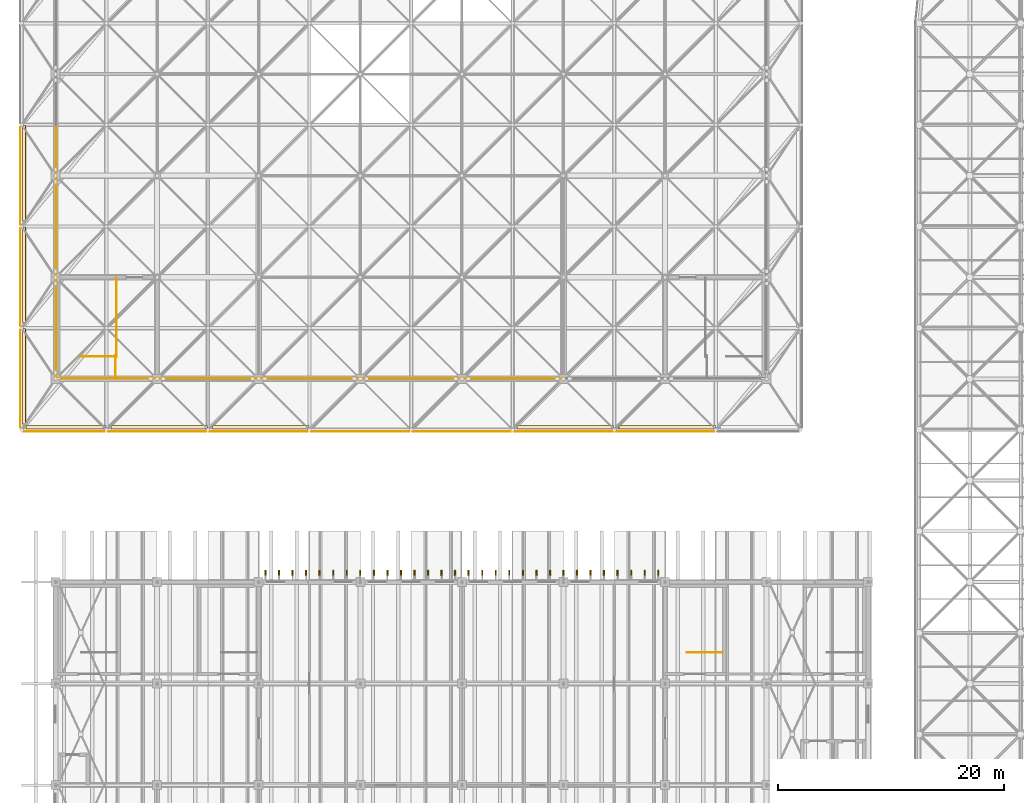
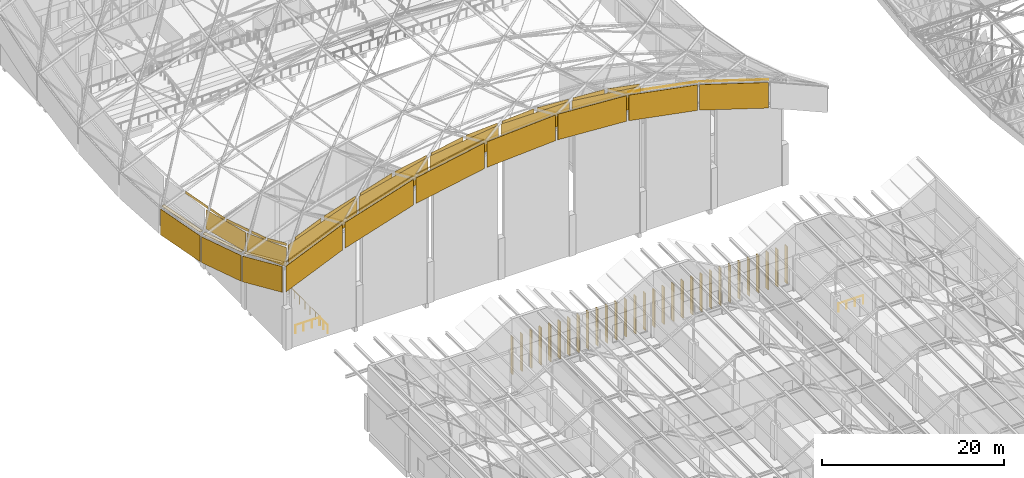
# One storey, part 409 of 437: 70 coverings, 4 railings.
"""IFC4 building model written with IfcOpenShell, lengths in metres."""

from ifc_helpers import new_model, si_unit, direction, frame, origin, origin_2d, place, context, subcontext, project, spatial, polyline, rectangle, circle, outline, extrude, material, layer, layer_set, constituent, constituent_set, type_object, element, save


model = new_model("IFC4")

# Units and contexts
model_context = context("Model", 3, precision=1e-05, world=origin(), true_north=direction((0.0, 1.0)))
body_context = subcontext(model_context, "Body", "Model", "MODEL_VIEW")
ifc_project = project(units=[si_unit("LENGTHUNIT", "METRE"), si_unit("AREAUNIT", "SQUARE_METRE"), si_unit("VOLUMEUNIT", "CUBIC_METRE"), si_unit("PLANEANGLEUNIT", "RADIAN"), si_unit("MASSUNIT", "GRAM", prefix="KILO")], contexts=[model_context])

# Site, building, storey
site_placement = place(None, origin())
site = spatial("IfcSite", under=ifc_project, at=site_placement, CompositionType="ELEMENT")
building_placement = place(site_placement, origin())
building = spatial("IfcBuilding", under=site, at=building_placement, Name="Opaline Strait Convention Centre", CompositionType="ELEMENT")
storey_placement = place(building_placement, frame((0.0, 0.0, 11.5)))
storey = spatial("IfcBuildingStorey", under=building, at=storey_placement, Name="L02", CompositionType="ELEMENT", Elevation=11.5)

# Railings
ifc_material_1 = material(Name="Steel Q355B", Category="steel")
ifc_constituent_1 = constituent(ifc_material_1, Name="Frame")
ifc_material_2 = material(Name="Safety glass, bonded interlayer", Category="glass")
ifc_constituent_2 = constituent(ifc_material_2, Name="Infill")
ifc_constituent_set_1 = constituent_set(constituents=[ifc_constituent_1, ifc_constituent_2], Name="Steel Q355B, Safety glass, bonded interlayer")
railing_type_1 = type_object("IfcRailingType", Name="Seating guard 1100 steel and glass", PredefinedType="GUARDRAIL", material=ifc_constituent_set_1)
railing_1_placement = place(storey_placement, frame((14.35009765625, 119.0, 0.0)))
element("IfcRailing", 1, at=railing_1_placement, inside=storey, type_object=railing_type_1, Name="L02 PSR1 top well guard 1", PredefinedType="GUARDRAIL", context=body_context, shape_type="SweptSolid", body=[
    extrude(circle(Radius=0.02392578125, at=origin_2d()), frame((0.0, 0.0, 1.076171875), z_axis=(-1.0, 0.0, 0.0), x_axis=(0.0, -1.0, 0.0)), (0.0, 0.0, 1.0), 3.150146484375),
    extrude(circle(Radius=0.02099609375, at=origin_2d()), origin(), (0.0, 0.0, 1.0), 1.052001953125),
    extrude(circle(Radius=0.02099609375, at=origin_2d()), frame((-1.050048828125, 0.0, 0.0)), (0.0, 0.0, 1.0), 1.052001953125),
    extrude(circle(Radius=0.02099609375, at=origin_2d()), frame((-2.10009765625, 0.0, 0.0)), (0.0, 0.0, 1.0), 1.052001953125),
    extrude(circle(Radius=0.02099609375, at=origin_2d()), frame((-3.150146484375, 0.0, 0.0)), (0.0, 0.0, 1.0), 1.052001953125),
])
railing_2_placement = place(storey_placement, frame((14.39990234375, 118.949951171875, 0.0)))
element("IfcRailing", 2, at=railing_2_placement, inside=storey, type_object=railing_type_1, Name="L02 PSR1 top well guard 2", PredefinedType="GUARDRAIL", context=body_context, shape_type="SweptSolid", body=[
    extrude(circle(Radius=0.02392578125, at=origin_2d()), frame((0.0, 0.0, 1.076171875), z_axis=(0.0, 1.0, 0.0), x_axis=(-1.0, 0.0, 0.0)), (0.0, 0.0, 1.0), 7.0),
    extrude(circle(Radius=0.02099609375, at=origin_2d()), origin(), (0.0, 0.0, 1.0), 1.052001953125),
    extrude(circle(Radius=0.02099609375, at=origin_2d()), frame((0.0, 1.166748046875, 0.0)), (0.0, 0.0, 1.0), 1.052001953125),
    extrude(circle(Radius=0.02099609375, at=origin_2d()), frame((0.0, 2.333251953125, 0.0)), (0.0, 0.0, 1.0), 1.052001953125),
    extrude(circle(Radius=0.02099609375, at=origin_2d()), frame((0.0, 3.5, 0.0)), (0.0, 0.0, 1.0), 1.052001953125),
    extrude(circle(Radius=0.02099609375, at=origin_2d()), frame((0.0, 4.666748046875, 0.0)), (0.0, 0.0, 1.0), 1.052001953125),
    extrude(circle(Radius=0.02099609375, at=origin_2d()), frame((0.0, 5.833251953125, 0.0)), (0.0, 0.0, 1.0), 1.052001953125),
    extrude(circle(Radius=0.02099609375, at=origin_2d()), frame((0.0, 7.0, 0.0)), (0.0, 0.0, 1.0), 1.052001953125),
])
railing_3_placement = place(storey_placement, frame((14.300048828125, 117.25, 0.0)))
element("IfcRailing", 3, at=railing_3_placement, inside=storey, type_object=railing_type_1, Name="L02 PSR1 top well guard 3", PredefinedType="GUARDRAIL", context=body_context, shape_type="SweptSolid", body=[
    extrude(circle(Radius=0.02392578125, at=origin_2d()), frame((0.0, 0.0, 1.076171875), z_axis=(0.0, 1.0, 0.0), x_axis=(-1.0, 0.0, 0.0)), (0.0, 0.0, 1.0), 1.800048828125),
    extrude(circle(Radius=0.02099609375, at=origin_2d()), origin(), (0.0, 0.0, 1.0), 1.052001953125),
    extrude(circle(Radius=0.02099609375, at=origin_2d()), frame((0.0, 0.89990234375, 0.0)), (0.0, 0.0, 1.0), 1.052001953125),
    extrude(circle(Radius=0.02099609375, at=origin_2d()), frame((0.0, 1.800048828125, 0.0)), (0.0, 0.0, 1.0), 1.052001953125),
])

# Coverings
ifc_material_3 = material(Name="Standing seam aluminium edge flashing, white", Category="aluminium")
ifc_layer_1 = layer(ifc_material_3, 0.030029296875)
ifc_layer_set_1 = layer_set([ifc_layer_1], Name="Standing seam aluminium edge flashing, white")
covering_type_1 = type_object("IfcCoveringType", Name="Shell edge flashing 30", PredefinedType="ROOFING", material=ifc_layer_set_1)
covering_1_placement = place(storey_placement, frame((6.050048828125, 113.0, 14.81640625), z_axis=(-0.36813109044, 0.377613527946, 0.849639643475), x_axis=(0.917593196232, 0.000119785951, 0.397520706228)))
element("IfcCovering", 4, at=covering_1_placement, inside=storey, type_object=covering_type_1, Name="PEF1 edge flashing 1", PredefinedType="ROOFING", context=body_context, shape_type="SweptSolid", body=[
    extrude(outline(polyline([(0.0, 0.0), (0.32695387057677355, 0.0), (-1.1648717133199495, 9.12572973933148), (-1.491922634850392, 9.125814343750664), (0.0, 0.0)])), origin(), (0.0, 0.0, -1.0), 0.030029296875),
])
covering_2_placement = place(storey_placement, frame((6.050048828125, 122.0, 10.8701171875), z_axis=(-0.382006288468, 0.279640254977, 0.880836263653), x_axis=(0.917437570864, 0.0, 0.397879760188)))
element("IfcCovering", 5, at=covering_2_placement, inside=storey, type_object=covering_type_1, Name="PEF1 edge flashing 3", PredefinedType="ROOFING", context=body_context, shape_type="SweptSolid", body=[
    extrude(outline(polyline([(0.0, 0.0), (0.32705094891894404, 0.0), (-0.740308134318719, 8.80107120577786), (-1.067359083237663, 8.80107120577786), (0.0, 0.0)])), origin(), (0.0, 0.0, -1.0), 0.030029296875),
])
covering_3_placement = place(storey_placement, frame((6.050048828125, 131.0, 8.06982421875), z_axis=(-0.392251562913, 0.172114766869, 0.903612316438), x_axis=(0.917305328634, 5.8049027e-05, 0.398184543509)))
element("IfcCovering", 6, at=covering_3_placement, inside=storey, type_object=covering_type_1, Name="PEF1 edge flashing 5", PredefinedType="ROOFING", context=body_context, shape_type="SweptSolid", body=[
    extrude(outline(polyline([(0.0, 0.0), (0.32705093031782817, 0.0), (-0.3132868079512685, 8.577979381327406), (-0.6404349512924143, 8.57801793224601), (0.0, 0.0)])), origin(), (0.0, 0.0, -1.0), 0.030029296875),
])
covering_4_placement = place(storey_placement, frame((6.39990234375, 112.550048828125, 15.168212890625), z_axis=(-0.368563829003, 0.377419034337, 0.849538449083), x_axis=(0.917385940146, 0.0, 0.397998789976)))
element("IfcCovering", 7, at=covering_4_placement, inside=storey, type_object=covering_type_1, Name="PEF1 edge flashing 17", PredefinedType="ROOFING", context=body_context, shape_type="SweptSolid", body=[
    extrude(outline(polyline([(0.0, 0.0), (7.68493228379312, 0.0), (7.631878734152716, 0.32401191091007653), (-0.05305354964040472, 0.3240119109100763), (0.0, 0.0)])), origin(), (0.0, 0.0, -1.0), 0.030029296875),
])
covering_5_placement = place(storey_placement, frame((13.89990234375, 112.550048828125, 18.36669921875), z_axis=(-0.278634448773, 0.389921733048, 0.877680970543), x_axis=(0.953122522929, 0.0, 0.30258462665)))
element("IfcCovering", 8, at=covering_5_placement, inside=storey, type_object=covering_type_1, Name="PEF1 edge flashing 19", PredefinedType="ROOFING", context=body_context, shape_type="SweptSolid", body=[
    extrude(outline(polyline([(0.0, 0.0), (8.970566346338158, 0.0), (8.93023157921141, 0.3258396908018991), (-0.0403347671267472, 0.3258396908018991), (0.0, 0.0)])), origin(), (0.0, 0.0, -1.0), 0.030029296875),
])
covering_6_placement = place(storey_placement, frame((22.89990234375, 112.550048828125, 21.16650390625), z_axis=(-0.171500559072, 0.399985181635, 0.900332945476), x_axis=(0.982336847785, 0.0, 0.18712113051)))
element("IfcCovering", 9, at=covering_6_placement, inside=storey, type_object=covering_type_1, Name="PEF1 edge flashing 21", PredefinedType="ROOFING", context=body_context, shape_type="SweptSolid", body=[
    extrude(outline(polyline([(0.0, 0.0), (8.703785109355326, 0.0), (8.678841716470016, 0.32737780116008963), (-0.024943392885309966, 0.3273778011600897), (0.0, 0.0)])), origin(), (0.0, 0.0, -1.0), 0.030029296875),
])
covering_7_placement = place(storey_placement, frame((49.89990234375, 112.550048828125, 22.728515625), z_axis=(0.171500559072, 0.399985181635, 0.900332945476), x_axis=(0.982336847785, 0.0, -0.18712113051)))
element("IfcCovering", 10, at=covering_7_placement, inside=storey, type_object=covering_type_1, Name="PEF1 edge flashing 27", PredefinedType="ROOFING", context=body_context, shape_type="SweptSolid", body=[
    extrude(outline(polyline([(0.0, 0.0), (8.703785109355326, 0.0), (8.728728502240637, 0.32737780116008963), (0.024943392885309966, 0.3273778011600897), (0.0, 0.0)])), origin(), (0.0, 0.0, -1.0), 0.030029296875),
])
covering_8_placement = place(storey_placement, frame((58.89990234375, 112.550048828125, 20.969970703125), z_axis=(0.278634448773, 0.389921733048, 0.877680970543), x_axis=(0.953122522929, 0.0, -0.30258462665)))
element("IfcCovering", 11, at=covering_8_placement, inside=storey, type_object=covering_type_1, Name="PEF1 edge flashing 29", PredefinedType="ROOFING", context=body_context, shape_type="SweptSolid", body=[
    extrude(outline(polyline([(0.0, 0.0), (8.970566346338158, 0.0), (9.010901113464906, 0.32583969080189923), (0.0403347671267472, 0.3258396908018991), (0.0, 0.0)])), origin(), (0.0, 0.0, -1.0), 0.030029296875),
])
ifc_material_4 = material(Name="Aluminium composite cladding panel, white", Category="aluminium")
ifc_layer_2 = layer(ifc_material_4, 0.0400390625)
ifc_layer_set_2 = layer_set([ifc_layer_2], Name="Aluminium composite cladding panel, white")
covering_type_2 = type_object("IfcCoveringType", Name="Shell edge frieze panel 40", PredefinedType="CLADDING", material=ifc_layer_set_2)
covering_9_placement = place(storey_placement, frame((9.0, 117.14990234375, 13.36669921875), z_axis=(-1.0, 0.0, 0.0), x_axis=(0.0, 0.934493135261, -0.355981151397)))
element("IfcCovering", 12, at=covering_9_placement, inside=storey, type_object=covering_type_2, Name="PFR1 frieze panel W 1", PredefinedType="CLADDING", context=body_context, shape_type="SweptSolid", body=[
    extrude(outline(polyline([(0.0, 0.0), (9.310068725189893, 0.0), (10.232873379860202, 2.4224726831551475), (0.9227177452095188, 2.4222445354170468), (0.0, 0.0)])), origin(), (0.0, 0.0, -1.0), 0.0400390625),
])
covering_10_placement = place(storey_placement, frame((9.0, 126.14990234375, 9.957275390625), z_axis=(-1.0, 0.0, 0.0), x_axis=(0.0, 0.969233447146, -0.246143301624)))
element("IfcCovering", 13, at=covering_10_placement, inside=storey, type_object=covering_type_2, Name="PFR1 frieze panel W 2", PredefinedType="CLADDING", context=body_context, shape_type="SweptSolid", body=[
    extrude(outline(polyline([(0.0, 0.0), (8.976367188031215, 0.0), (9.615702780310546, 2.5174986924272122), (0.6393355922793319, 2.5174986924272122), (0.0, 0.0)])), origin(), (0.0, 0.0, -1.0), 0.0400390625),
])
covering_11_placement = place(storey_placement, frame((9.0, 117.14990234375, 13.97802734375), z_axis=(-1.0, 0.0, 0.0), x_axis=(0.0, 0.913813765387, -0.406133478293)))
element("IfcCovering", 14, at=covering_11_placement, inside=storey, type_object=covering_type_2, Name="PFR1 frieze strip W 1", PredefinedType="CLADDING", context=body_context, shape_type="SweptSolid", body=[
    extrude(outline(polyline([(0.0, 0.0), (4.541567047438146, -2.220446049250313e-16), (4.6776058980771635, 0.30609191555428894), (0.13603885063901727, 0.3060919155542891), (0.0, 0.0)])), origin(), (0.0, 0.0, -1.0), 0.0400390625),
])
covering_12_placement = place(storey_placement, frame((9.0, 121.699951171875, 11.981201171875), z_axis=(-1.0, 0.0, 0.0), x_axis=(0.0, 0.95312667237, -0.302571555861)))
element("IfcCovering", 15, at=covering_12_placement, inside=storey, type_object=covering_type_2, Name="PFR1 frieze strip W 2", PredefinedType="CLADDING", context=body_context, shape_type="SweptSolid", body=[
    extrude(outline(polyline([(0.0, 0.0), (3.2525557684167263, 1.1102230246251565e-16), (3.35390542042881, 0.3192602037334257), (0.1013496520120837, 0.3192602037334257), (0.0, 0.0)])), origin(), (0.0, 0.0, -1.0), 0.0400390625),
])
covering_13_placement = place(storey_placement, frame((9.0, 125.39990234375, 10.806396484375), z_axis=(-1.0, 0.0, 0.0), x_axis=(0.0, 0.95313448378, -0.302546948142)))
element("IfcCovering", 16, at=covering_13_placement, inside=storey, type_object=covering_type_2, Name="PFR1 frieze strip W 3", PredefinedType="CLADDING", context=body_context, shape_type="SweptSolid", body=[
    extrude(outline(polyline([(0.0, 0.0), (5.141086140272141, -2.220446049250313e-16), (5.242427549659584, 0.31926282025041), (0.10126754538643146, 0.31903012140183107), (0.0, 0.0)])), origin(), (0.0, 0.0, -1.0), 0.0400390625),
])
covering_14_placement = place(storey_placement, frame((9.0, 130.699951171875, 9.1494140625), z_axis=(-1.0, 0.0, 0.0), x_axis=(0.0, 0.982333826246, -0.1871369921)))
element("IfcCovering", 17, at=covering_14_placement, inside=storey, type_object=covering_type_2, Name="PFR1 frieze strip W 4", PredefinedType="CLADDING", context=body_context, shape_type="SweptSolid", body=[
    extrude(outline(polyline([(0.0, 0.0), (3.155849440811978, 0.0), (3.218533023126828, 0.32904345937741464), (0.06268358231485006, 0.3290434593774147), (0.0, 0.0)])), origin(), (0.0, 0.0, -1.0), 0.0400390625),
])
covering_15_placement = place(storey_placement, frame((9.0, 134.39990234375, 8.444580078125), z_axis=(-1.0, 0.0, 0.0), x_axis=(0.0, 0.982338994807, -0.187109858858)))
element("IfcCovering", 18, at=covering_15_placement, inside=storey, type_object=covering_type_2, Name="PFR1 frieze strip W 5", PredefinedType="CLADDING", context=body_context, shape_type="SweptSolid", body=[
    extrude(outline(polyline([(0.0, 0.0), (4.9882438855426, 0.0), (5.050918379281292, 0.32904519064328774), (0.06267449373869209, 0.32904519064328774), (0.0, 0.0)])), origin(), (0.0, 0.0, -1.0), 0.0400390625),
])
covering_16_placement = place(storey_placement, frame((9.14990234375, 117.0, 10.90771484375), z_axis=(0.0, -1.0, 0.0), x_axis=(0.934493135261, 0.0, 0.355981151397)))
element("IfcCovering", 19, at=covering_16_placement, inside=storey, type_object=covering_type_2, Name="PFR1 frieze band S 1", PredefinedType="CLADDING", context=body_context, shape_type="SweptSolid", body=[
    extrude(outline(polyline([(0.0, 0.0), (9.310068725189893, 0.0), (10.314133725699035, 2.635790818279471), (1.0204039791376998, 2.6786825930424363), (0.0, 0.0)])), origin(), (0.0, 0.0, -1.0), 0.0400390625),
])
covering_17_placement = place(storey_placement, frame((10.050048828125, 117.0, 14.1123046875), z_axis=(0.0, -1.0, 0.0), x_axis=(0.936144087686, 0.0, 0.351616619474)))
element("IfcCovering", 20, at=covering_17_placement, inside=storey, type_object=covering_type_2, Name="PFR1 frieze closure S 12", PredefinedType="CLADDING", context=body_context, shape_type="SweptSolid", body=[
    extrude(outline(polyline([(0.0, 0.0), (3.4716877911737347, 0.0), (3.6746227737019086, 0.5402940974830106), (0.13640595906821854, 0.36316722542322505), (0.0, 0.0)])), origin(), (0.0, 0.0, -1.0), 0.0400390625),
])
covering_18_placement = place(storey_placement, frame((13.699951171875, 117.0, 15.4833984375), z_axis=(0.0, -1.0, 0.0), x_axis=(0.936122385256, 0.0, 0.351674394608)))
element("IfcCovering", 21, at=covering_18_placement, inside=storey, type_object=covering_type_2, Name="PFR1 frieze closure S 13", PredefinedType="CLADDING", context=body_context, shape_type="SweptSolid", body=[
    extrude(outline(polyline([(0.0, 0.0), (4.272945571006845, 0.0), (4.3940053601661955, 0.3222491609401765), (0.20296832735652692, 0.540281571959275), (0.0, 0.0)])), origin(), (0.0, 0.0, -1.0), 0.0400390625),
])
covering_19_placement = place(storey_placement, frame((18.14990234375, 117.0, 14.31201171875), z_axis=(0.0, -1.0, 0.0), x_axis=(0.969233447146, 0.0, 0.246143301624)))
element("IfcCovering", 22, at=covering_19_placement, inside=storey, type_object=covering_type_2, Name="PFR1 frieze band S 2", PredefinedType="CLADDING", context=body_context, shape_type="SweptSolid", body=[
    extrude(outline(polyline([(0.0, 0.0), (8.976367188031215, 0.0), (9.671890277141186, 2.738747050113033), (0.6955230891099715, 2.7387470501130324), (0.0, 0.0)])), origin(), (0.0, 0.0, -1.0), 0.0400390625),
])
covering_20_placement = place(storey_placement, frame((18.300048828125, 117.0, 17.17578125), z_axis=(0.0, -1.0, 0.0), x_axis=(0.969230993258, 0.0, 0.246152964047)))
element("IfcCovering", 23, at=covering_20_placement, inside=storey, type_object=covering_type_2, Name="PFR1 frieze closure S 21", PredefinedType="CLADDING", context=body_context, shape_type="SweptSolid", body=[
    extrude(outline(polyline([(0.0, 0.0), (4.126983173078632, 0.0), (4.274458606128218, 0.5806867327768335), (0.08491556108356313, 0.3343562972345826), (0.0, 0.0)])), origin(), (0.0, 0.0, -1.0), 0.0400390625),
])
covering_21_placement = place(storey_placement, frame((22.699951171875, 117.0, 18.293212890625), z_axis=(0.0, -1.0, 0.0), x_axis=(0.969230993258, 0.0, 0.246152964047)))
element("IfcCovering", 24, at=covering_21_placement, inside=storey, type_object=covering_type_2, Name="PFR1 frieze closure S 22", PredefinedType="CLADDING", context=body_context, shape_type="SweptSolid", body=[
    extrude(outline(polyline([(0.0, 0.0), (4.126983173078632, 0.0), (4.211898734162196, 0.3343562972345826), (0.14741533711109722, 0.5804501041163702), (0.0, 0.0)])), origin(), (0.0, 0.0, -1.0), 0.0400390625),
])
covering_22_placement = place(storey_placement, frame((27.14990234375, 117.0, 16.5751953125), z_axis=(0.0, -1.0, 0.0), x_axis=(0.992030967972, 0.0, 0.125994279971)))
element("IfcCovering", 25, at=covering_22_placement, inside=storey, type_object=covering_type_2, Name="PFR1 frieze band S 3", PredefinedType="CLADDING", context=body_context, shape_type="SweptSolid", body=[
    extrude(outline(polyline([(0.0, 0.0), (8.770084395943172, 0.0), (9.126504249952363, 2.806314166476259), (0.3564506143314499, 2.8065563615367983), (0.0, 0.0)])), origin(), (0.0, 0.0, -1.0), 0.0400390625),
])
covering_23_placement = place(storey_placement, frame((27.300048828125, 117.0, 19.42333984375), z_axis=(0.0, -1.0, 0.0), x_axis=(0.992037572197, 0.0, 0.125942269908)))
element("IfcCovering", 26, at=covering_23_placement, inside=storey, type_object=covering_type_2, Name="PFR1 frieze closure S 31", PredefinedType="CLADDING", context=body_context, shape_type="SweptSolid", body=[
    extrude(outline(polyline([(0.0, 0.0), (4.03210534772546, 0.0), (4.10756001822199, 0.5943506352957456), (0.043446393403258836, 0.34222389880720805), (0.0, 0.0)])), origin(), (0.0, 0.0, -1.0), 0.0400390625),
])
covering_24_placement = place(storey_placement, frame((31.699951171875, 117.0, 19.98193359375), z_axis=(0.0, -1.0, 0.0), x_axis=(0.992030005484, 0.0, 0.126001857996)))
element("IfcCovering", 27, at=covering_24_placement, inside=storey, type_object=covering_type_2, Name="PFR1 frieze closure S 32", PredefinedType="CLADDING", context=body_context, shape_type="SweptSolid", body=[
    extrude(outline(polyline([(0.0, 0.0), (4.032136102623913, 1.1102230246251565e-16), (4.075633814344353, 0.34246348333862187), (0.0754903709773389, 0.5943461019186549), (0.0, 0.0)])), origin(), (0.0, 0.0, -1.0), 0.0400390625),
])
covering_25_placement = place(storey_placement, frame((36.14990234375, 117.0, 17.697998046875), z_axis=(0.0, -1.0, 0.0), x_axis=(1.0, 0.0, 0.0)))
element("IfcCovering", 28, at=covering_25_placement, inside=storey, type_object=covering_type_2, Name="PFR1 frieze band S 4", PredefinedType="CLADDING", context=body_context, shape_type="SweptSolid", body=[
    extrude(outline(polyline([(0.0, 0.0), (8.7001953125, 0.0), (8.7001953125, 2.830078125), (0.0, 2.830078125), (0.0, 0.0)])), origin(), (0.0, 0.0, -1.0), 0.0400390625),
])
covering_26_placement = place(storey_placement, frame((36.300048828125, 117.0, 20.528076171875), z_axis=(0.0, -1.0, 0.0), x_axis=(1.0, 0.0, 0.0)))
element("IfcCovering", 29, at=covering_26_placement, inside=storey, type_object=covering_type_2, Name="PFR1 frieze closure S 41", PredefinedType="CLADDING", context=body_context, shape_type="SweptSolid", body=[
    extrude(outline(polyline([(0.0, 0.0), (4.0, 0.0), (4.0, 0.59912109375), (0.0, 0.34521484375), (0.0, 0.0)])), origin(), (0.0, 0.0, -1.0), 0.0400390625),
])
covering_27_placement = place(storey_placement, frame((40.699951171875, 117.0, 20.528076171875), z_axis=(0.0, -1.0, 0.0), x_axis=(1.0, 0.0, 0.0)))
element("IfcCovering", 30, at=covering_27_placement, inside=storey, type_object=covering_type_2, Name="PFR1 frieze closure S 42", PredefinedType="CLADDING", context=body_context, shape_type="SweptSolid", body=[
    extrude(outline(polyline([(0.0, 0.0), (4.0, 0.0), (4.0, 0.34521484375), (0.0, 0.59912109375), (0.0, 0.0)])), origin(), (0.0, 0.0, -1.0), 0.0400390625),
])
covering_28_placement = place(storey_placement, frame((45.14990234375, 117.0, 17.68017578125), z_axis=(0.0, -1.0, 0.0), x_axis=(0.992030967972, 0.0, -0.125994279971)))
element("IfcCovering", 31, at=covering_28_placement, inside=storey, type_object=covering_type_2, Name="PFR1 frieze band S 5", PredefinedType="CLADDING", context=body_context, shape_type="SweptSolid", body=[
    extrude(outline(polyline([(0.0, 0.0), (8.770084395943172, 0.0), (8.413633781611724, 2.8065563615367983), (-0.35641985400919146, 2.8063141664762585), (0.0, 0.0)])), origin(), (0.0, 0.0, -1.0), 0.0400390625),
])
covering_29_placement = place(storey_placement, frame((45.300048828125, 117.0, 20.489990234375), z_axis=(0.0, -1.0, 0.0), x_axis=(0.992030005484, 0.0, -0.126001857996)))
element("IfcCovering", 32, at=covering_29_placement, inside=storey, type_object=covering_type_2, Name="PFR1 frieze closure S 51", PredefinedType="CLADDING", context=body_context, shape_type="SweptSolid", body=[
    extrude(outline(polyline([(0.0, 0.0), (4.032136102623913, -1.1102230246251565e-16), (3.9566457316465744, 0.5943461019186548), (-0.04349771172043896, 0.3424634833386218), (0.0, 0.0)])), origin(), (0.0, 0.0, -1.0), 0.0400390625),
])
covering_30_placement = place(storey_placement, frame((49.699951171875, 117.0, 19.93115234375), z_axis=(0.0, -1.0, 0.0), x_axis=(0.992037572197, 0.0, -0.125942269908)))
element("IfcCovering", 33, at=covering_30_placement, inside=storey, type_object=covering_type_2, Name="PFR1 frieze closure S 52", PredefinedType="CLADDING", context=body_context, shape_type="SweptSolid", body=[
    extrude(outline(polyline([(0.0, 0.0), (4.03210534772546, 0.0), (3.988658954322201, 0.34222389880720805), (-0.07545467049653021, 0.5943506352957456), (0.0, 0.0)])), origin(), (0.0, 0.0, -1.0), 0.0400390625),
])
covering_31_placement = place(storey_placement, frame((5.8505859375, 112.64990234375, 14.66748046875), z_axis=(-1.0, 0.0, 0.0), x_axis=(0.0, 0.913813663494, -0.406133707555)))
element("IfcCovering", 34, at=covering_31_placement, inside=storey, type_object=covering_type_2, Name="PFR1 fascia panel W 1", PredefinedType="CLADDING", context=body_context, shape_type="SweptSolid", body=[
    extrude(outline(polyline([(0.0, 0.0), (9.5207542413366, -4.440892098500626e-16), (10.924969467505527, 3.159528589452953), (1.404215226168927, 3.1595285894529535), (0.0, 0.0)])), origin(), (0.0, 0.0, -1.0), 0.0400390625),
])
covering_32_placement = place(storey_placement, frame((5.8505859375, 121.64990234375, 10.686279296875), z_axis=(-1.0, 0.0, 0.0), x_axis=(0.0, 0.953132102782, -0.302554449059)))
element("IfcCovering", 35, at=covering_32_placement, inside=storey, type_object=covering_type_2, Name="PFR1 fascia panel W 2", PredefinedType="CLADDING", context=body_context, shape_type="SweptSolid", body=[
    extrude(outline(polyline([(0.0, 0.0), (9.128005747683803, 0.0), (10.17409366457269, 3.2954728612316457), (1.046014051056597, 3.295240162964365), (0.0, 0.0)])), origin(), (0.0, 0.0, -1.0), 0.0400390625),
])
covering_33_placement = place(storey_placement, frame((5.8505859375, 130.64990234375, 7.848388671875), z_axis=(-1.0, 0.0, 0.0), x_axis=(0.0, 0.982337601302, -0.187117174701)))
element("IfcCovering", 36, at=covering_33_placement, inside=storey, type_object=covering_type_2, Name="PFR1 fascia panel W 3", PredefinedType="CLADDING", context=body_context, shape_type="SweptSolid", body=[
    extrude(outline(polyline([(0.0, 0.0), (8.85662454635526, 0.0), (9.503540149611712, 3.396211614267372), (0.6469156032564519, 3.3962116142673717), (0.0, 0.0)])), origin(), (0.0, 0.0, -1.0), 0.0400390625),
])
covering_34_placement = place(storey_placement, frame((6.14990234375, 112.3505859375, 14.799072265625), z_axis=(0.0, 1.0, 0.0), x_axis=(0.917383800951, 0.0, 0.398003720777)))
element("IfcCovering", 37, at=covering_34_placement, inside=storey, type_object=covering_type_2, Name="PFR1 fascia panel S 1", PredefinedType="CLADDING", context=body_context, shape_type="SweptSolid", body=[
    extrude(outline(polyline([(0.0, 0.0), (7.848618326414646, 0.0), (6.479411678593638, 3.155970492968906), (-1.3692066478210076, 3.155970492968906), (0.0, 0.0)])), origin(), (0.0, 0.0, -1.0), 0.0400390625),
])
covering_35_placement = place(storey_placement, frame((13.64990234375, 112.3505859375, 18.03564453125), z_axis=(0.0, 1.0, 0.0), x_axis=(0.95312438958, 0.0, 0.302578746754)))
element("IfcCovering", 38, at=covering_35_placement, inside=storey, type_object=covering_type_2, Name="PFR1 fascia panel S 2", PredefinedType="CLADDING", context=body_context, shape_type="SweptSolid", body=[
    extrude(outline(polyline([(0.0, 0.0), (9.128079616482133, 0.0), (8.087595815693874, 3.27752857110319), (-1.0404838007882586, 3.2775285711031894), (0.0, 0.0)])), origin(), (0.0, 0.0, -1.0), 0.0400390625),
])
covering_36_placement = place(storey_placement, frame((22.64990234375, 112.3505859375, 20.873779296875), z_axis=(0.0, 1.0, 0.0), x_axis=(0.982337601302, 0.0, 0.187117174701)))
element("IfcCovering", 39, at=covering_36_placement, inside=storey, type_object=covering_type_2, Name="PFR1 fascia panel S 3", PredefinedType="CLADDING", context=body_context, shape_type="SweptSolid", body=[
    extrude(outline(polyline([(0.0, 0.0), (8.85662454635526, 0.0), (8.213180843801265, 3.3779846470557118), (-0.6434437025539951, 3.3779846470557113), (0.0, 0.0)])), origin(), (0.0, 0.0, -1.0), 0.0400390625),
])
covering_37_placement = place(storey_placement, frame((31.64990234375, 112.3505859375, 22.569091796875), z_axis=(0.0, 1.0, 0.0), x_axis=(0.997991520688, 0.0, 0.063347649001)))
element("IfcCovering", 40, at=covering_37_placement, inside=storey, type_object=covering_type_2, Name="PFR1 fascia panel S 4", PredefinedType="CLADDING", context=body_context, shape_type="SweptSolid", body=[
    extrude(outline(polyline([(0.0, 0.0), (8.717704641917452, 0.0), (8.499869769803645, 3.431814103734591), (-0.21783487211380756, 3.4318141037345913), (0.0, 0.0)])), origin(), (0.0, 0.0, -1.0), 0.0400390625),
])
covering_38_placement = place(storey_placement, frame((40.64990234375, 112.3505859375, 23.121337890625), z_axis=(0.0, 1.0, 0.0), x_axis=(0.997991520688, 0.0, -0.063347649001)))
element("IfcCovering", 41, at=covering_38_placement, inside=storey, type_object=covering_type_2, Name="PFR1 fascia panel S 5", PredefinedType="CLADDING", context=body_context, shape_type="SweptSolid", body=[
    extrude(outline(polyline([(0.0, 0.0), (8.717704641917452, 0.0), (8.93553951403126, 3.431814103734591), (0.21783487211380756, 3.4318141037345913), (0.0, 0.0)])), origin(), (0.0, 0.0, -1.0), 0.0400390625),
])
covering_39_placement = place(storey_placement, frame((49.64990234375, 112.3505859375, 22.531005859375), z_axis=(0.0, 1.0, 0.0), x_axis=(0.982337601302, 0.0, -0.187117174701)))
element("IfcCovering", 42, at=covering_39_placement, inside=storey, type_object=covering_type_2, Name="PFR1 fascia panel S 6", PredefinedType="CLADDING", context=body_context, shape_type="SweptSolid", body=[
    extrude(outline(polyline([(0.0, 0.0), (8.85662454635526, 0.0), (9.500068248909255, 3.3779846470557118), (0.6434437025539951, 3.3779846470557113), (0.0, 0.0)])), origin(), (0.0, 0.0, -1.0), 0.0400390625),
])
covering_40_placement = place(storey_placement, frame((58.64990234375, 112.3505859375, 20.797607421875), z_axis=(0.0, 1.0, 0.0), x_axis=(0.95312438958, 0.0, -0.302578746754)))
element("IfcCovering", 43, at=covering_40_placement, inside=storey, type_object=covering_type_2, Name="PFR1 fascia panel S 7", PredefinedType="CLADDING", context=body_context, shape_type="SweptSolid", body=[
    extrude(outline(polyline([(0.0, 0.0), (9.128079616482133, 0.0), (10.16856341727039, 3.27752857110319), (1.0404838007882586, 3.2775285711031894), (0.0, 0.0)])), origin(), (0.0, 0.0, -1.0), 0.0400390625),
])

# Railing
ifc_material_5 = material(Name="Steel Q235B", Category="steel")
ifc_constituent_3 = constituent(ifc_material_5, Name="Frame")
ifc_constituent_4 = constituent(ifc_material_2, Name="Infill")
ifc_constituent_set_2 = constituent_set(constituents=[ifc_constituent_3, ifc_constituent_4], Name="Steel Q235B, Safety glass, bonded interlayer")
railing_type_2 = type_object("IfcRailingType", Name="Stair guard 1100 Q235B and glass", PredefinedType="GUARDRAIL", material=ifc_constituent_set_2)
railing_4_placement = place(storey_placement, frame((68.10009765625, 92.75, 0.0)))
element("IfcRailing", 44, at=railing_4_placement, inside=storey, type_object=railing_type_2, Name="L02 NEB top well guard 1", PredefinedType="GUARDRAIL", context=body_context, shape_type="SweptSolid", body=[
    extrude(circle(Radius=0.02392578125, at=origin_2d()), frame((0.0, 0.0, 1.076171875), z_axis=(-1.0, 0.0, 0.0), x_axis=(0.0, -1.0, 0.0)), (0.0, 0.0, 1.0), 3.150146484375),
    extrude(circle(Radius=0.02099609375, at=origin_2d()), origin(), (0.0, 0.0, 1.0), 1.052001953125),
    extrude(circle(Radius=0.02099609375, at=origin_2d()), frame((-1.050048828125, 0.0, 0.0)), (0.0, 0.0, 1.0), 1.052001953125),
    extrude(circle(Radius=0.02099609375, at=origin_2d()), frame((-2.10009765625, 0.0, 0.0)), (0.0, 0.0, 1.0), 1.052001953125),
    extrude(circle(Radius=0.02099609375, at=origin_2d()), frame((-3.150146484375, 0.0, 0.0)), (0.0, 0.0, 1.0), 1.052001953125),
])

# Coverings
ifc_material_6 = material(Name="Powder-coated white aluminium", Category="aluminium")
ifc_layer_3 = layer(ifc_material_6, 0.1201171875)
ifc_layer_set_3 = layer_set([ifc_layer_3], Name="Powder-coated white aluminium")
covering_type_3 = type_object("IfcCoveringType", Name="Storm louvre fin 120x500x5000", PredefinedType="CLADDING", material=ifc_layer_set_3)
for number, where, z_axis, x_axis, name in (
    (45, (27.60009765625, 99.800048828125, 0.5), (0.0, 0.0, 1.0), (1.0, 0.0, 0.0), "Storm louvre fin N L02"),
    (46, (28.800048828125, 99.800048828125, 0.5), (0.0, 0.0, 1.0), (1.0, 0.0, 0.0), "Storm louvre fin N L02"),
    (47, (30.0, 99.800048828125, 0.5), (0.0, 0.0, 1.0), (1.0, 0.0, 0.0), "Storm louvre fin N L02"),
    (48, (31.199951171875, 99.800048828125, 0.5), (0.0, 0.0, 1.0), (1.0, 0.0, 0.0), "Storm louvre fin N L02"),
    (49, (32.39990234375, 99.800048828125, 0.5), (0.0, 0.0, 1.0), (1.0, 0.0, 0.0), "Storm louvre fin N L02"),
    (50, (33.60009765625, 99.800048828125, 0.5), (0.0, 0.0, 1.0), (1.0, 0.0, 0.0), "Storm louvre fin N L02"),
    (51, (34.800048828125, 99.800048828125, 0.5), (0.0, 0.0, 1.0), (1.0, 0.0, 0.0), "Storm louvre fin N L02"),
    (52, (36.0, 99.800048828125, 0.5), (0.0, 0.0, 1.0), (1.0, 0.0, 0.0), "Storm louvre fin N L02"),
    (53, (37.199951171875, 99.800048828125, 0.5), (0.0, 0.0, 1.0), (1.0, 0.0, 0.0), "Storm louvre fin N L02"),
    (54, (38.39990234375, 99.800048828125, 0.5), (0.0, 0.0, 1.0), (1.0, 0.0, 0.0), "Storm louvre fin N L02"),
    (55, (39.60009765625, 99.800048828125, 0.5), (0.0, 0.0, 1.0), (1.0, 0.0, 0.0), "Storm louvre fin N L02"),
    (56, (40.800048828125, 99.800048828125, 0.5), (0.0, 0.0, 1.0), (1.0, 0.0, 0.0), "Storm louvre fin N L02"),
    (57, (42.0, 99.800048828125, 0.5), (0.0, 0.0, 1.0), (1.0, 0.0, 0.0), "Storm louvre fin N L02"),
    (58, (43.199951171875, 99.800048828125, 0.5), (0.0, 0.0, 1.0), (1.0, 0.0, 0.0), "Storm louvre fin N L02"),
    (59, (44.39990234375, 99.800048828125, 0.5), (0.0, 0.0, 1.0), (1.0, 0.0, 0.0), "Storm louvre fin N L02"),
    (60, (45.60009765625, 99.800048828125, 0.5), (0.0, 0.0, 1.0), (1.0, 0.0, 0.0), "Storm louvre fin N L02"),
    (61, (46.800048828125, 99.800048828125, 0.5), (0.0, 0.0, 1.0), (1.0, 0.0, 0.0), "Storm louvre fin N L02"),
    (62, (48.0, 99.800048828125, 0.5), (0.0, 0.0, 1.0), (1.0, 0.0, 0.0), "Storm louvre fin N L02"),
    (63, (49.199951171875, 99.800048828125, 0.5), (0.0, 0.0, 1.0), (1.0, 0.0, 0.0), "Storm louvre fin N L02"),
    (64, (50.39990234375, 99.800048828125, 0.5), (0.0, 0.0, 1.0), (1.0, 0.0, 0.0), "Storm louvre fin N L02"),
    (65, (51.60009765625, 99.800048828125, 0.5), (0.0, 0.0, 1.0), (1.0, 0.0, 0.0), "Storm louvre fin N L02"),
    (66, (52.800048828125, 99.800048828125, 0.5), (0.0, 0.0, 1.0), (1.0, 0.0, 0.0), "Storm louvre fin N L02"),
    (67, (54.0, 99.800048828125, 0.5), (0.0, 0.0, 1.0), (1.0, 0.0, 0.0), "Storm louvre fin N L02"),
    (68, (55.199951171875, 99.800048828125, 0.5), (0.0, 0.0, 1.0), (1.0, 0.0, 0.0), "Storm louvre fin N L02"),
    (69, (56.39990234375, 99.800048828125, 0.5), (0.0, 0.0, 1.0), (1.0, 0.0, 0.0), "Storm louvre fin N L02"),
    (70, (57.60009765625, 99.800048828125, 0.5), (0.0, 0.0, 1.0), (1.0, 0.0, 0.0), "Storm louvre fin N L02"),
    (71, (58.800048828125, 99.800048828125, 0.5), (0.0, 0.0, 1.0), (1.0, 0.0, 0.0), "Storm louvre fin N L02"),
    (72, (60.0, 99.800048828125, 0.5), (0.0, 0.0, 1.0), (1.0, 0.0, 0.0), "Storm louvre fin N L02"),
    (73, (61.199951171875, 99.800048828125, 0.5), (0.0, 0.0, 1.0), (1.0, 0.0, 0.0), "Storm louvre fin N L02"),
    (74, (62.39990234375, 99.800048828125, 0.5), (0.0, 0.0, 1.0), (1.0, 0.0, 0.0), "Storm louvre fin N L02"),
):
    element("IfcCovering", number, at=place(storey_placement, frame(where, z_axis=z_axis, x_axis=x_axis)), inside=storey, type_object=covering_type_3, Name=name, PredefinedType="CLADDING", context=body_context, shape_type="SweptSolid", body=[
        extrude(rectangle(XDim=0.1201171875, YDim=0.5, at=origin_2d()), origin(), (0.0, 0.0, 1.0), 5.0),
    ])

save(model, "model.ifc")
